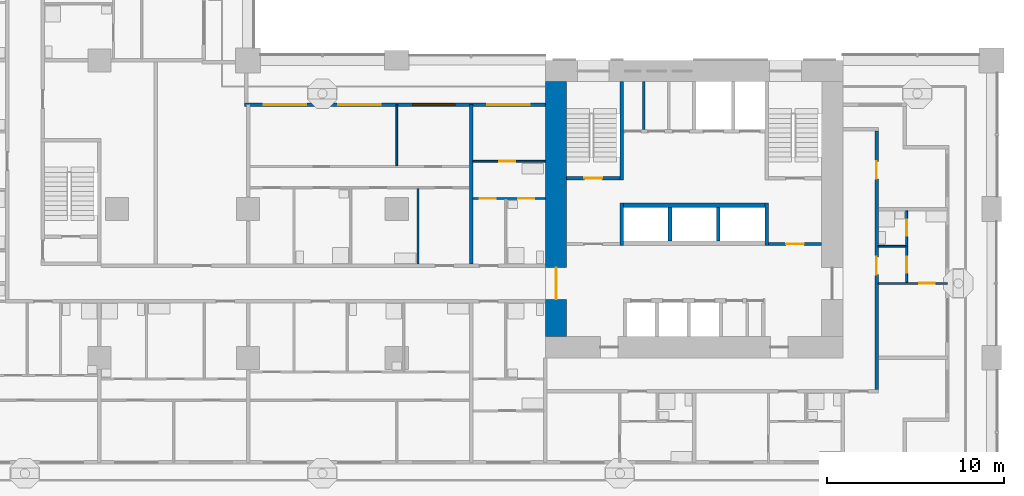
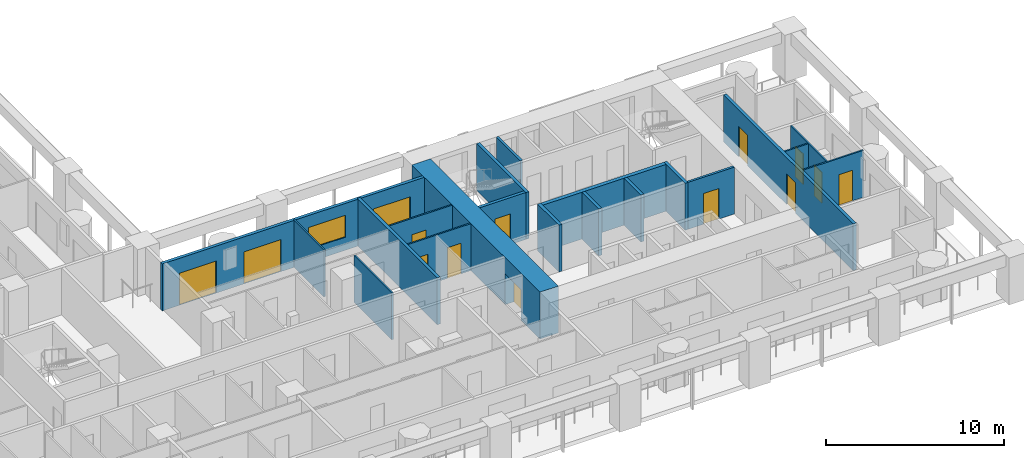
# One storey, part 7 of 22: 20 walls, 14 doors, 1 window, 15 openings.
"""IFC4 building model written with IfcOpenShell, lengths in metres."""

from ifc_helpers import new_model, si_unit, direction, frame, frame_2d, origin, place, context, subcontext, project, spatial, rectangle, extrude, material, layer, layer_set, type_object, element, fill, save


model = new_model("IFC4")

# Units and contexts
model_context = context("Model", 3, precision=1e-05, world=origin(), true_north=direction((0.0, 1.0)))
body_context = subcontext(model_context, "Body", "Model", "MODEL_VIEW")
ifc_project = project(units=[si_unit("LENGTHUNIT", "METRE"), si_unit("AREAUNIT", "SQUARE_METRE"), si_unit("VOLUMEUNIT", "CUBIC_METRE"), si_unit("PLANEANGLEUNIT", "RADIAN"), si_unit("MASSUNIT", "GRAM", prefix="KILO")], contexts=[model_context])

# Site, building, storey
site_placement = place(None, origin())
site = spatial("IfcSite", under=ifc_project, at=site_placement, CompositionType="ELEMENT")
building_placement = place(site_placement, origin())
building = spatial("IfcBuilding", under=site, at=building_placement, Name="Vermilion Gate Residences", CompositionType="ELEMENT")
storey_placement = place(building_placement, frame((0.0, 0.0, 56.699951171875)))
storey = spatial("IfcBuildingStorey", under=building, at=storey_placement, Name="L13", CompositionType="ELEMENT", Elevation=56.699951171875)

# Wall
ifc_material_1 = material(Name="Masonry blockwork", Category="masonry")
ifc_layer_1 = layer(ifc_material_1, 0.14990234375)
ifc_layer_set_1 = layer_set([ifc_layer_1], Name="BLOCKWORK PARTITION 150 EI 120")
wall_type_1 = type_object("IfcWallType", Name="BLOCKWORK PARTITION 150 EI 120", PredefinedType="PARTITIONING", material=ifc_layer_set_1)
wall_1_placement = place(storey_placement, frame((47.554931640625, 21.300048828125, 0.0), z_axis=(0.0, 0.0, 1.0), x_axis=(0.0, 1.0, 0.0)))
element("IfcWall", 1, at=wall_1_placement, inside=storey, type_object=wall_type_1, Name="Core room partition A13-NR-P0", PredefinedType="PARTITIONING", context=body_context, shape_type="SweptSolid", body=[
    extrude(rectangle(XDim=2.699951171875, YDim=0.14990234375, at=frame_2d((1.35009765625, 0.0))), origin(), (0.0, 0.0, 1.0), 3.219970703125),
])

# Wall, opening, door
wall_2_placement = place(storey_placement, frame((54.60009765625, 14.824951171875, 0.0), z_axis=(0.0, 0.0, 1.0), x_axis=(1.0, 0.0, 0.0)))
wall_2 = element("IfcWall", 2, at=wall_2_placement, inside=storey, type_object=wall_type_1, Name="Core room partition A13-VE-S", PredefinedType="PARTITIONING", context=body_context, shape_type="SweptSolid", body=[
    extrude(rectangle(XDim=3.0, YDim=0.14990234375, at=frame_2d((1.5, 0.0))), origin(), (0.0, 0.0, 1.0), 3.219970703125),
])
opening_1_placement = place(wall_2_placement, frame((1.0, 0.0, 0.0)))
opening_1 = element("IfcOpeningElement", 3, at=opening_1_placement, cuts=wall_2, Name="Opening DK13017", PredefinedType="OPENING", context=body_context, shape_type="SweptSolid", body=[
    extrude(rectangle(XDim=1.0, YDim=2.10009765625, at=frame_2d((0.5, 1.050048828125))), frame((0.0, 0.0849609375, 0.0), z_axis=(0.0, -1.0, 0.0), x_axis=(1.0, 0.0, 0.0)), (0.0, 0.0, 1.0), 0.169921875),
])
ifc_material_2 = material(Name="Steel", Category="steel")
door_type_1 = type_object("IfcDoorType", Name="FIRE DOOR FD60 1000 X 2100", OperationType="SINGLE_SWING_LEFT", PredefinedType="DOOR", material=ifc_material_2)
door_1_placement = place(opening_1_placement, frame((1.0, 0.0, 0.0), z_axis=(0.0, 0.0, 1.0), x_axis=(-1.0, 0.0, 0.0)))
door_1 = element("IfcDoor", 4, at=door_1_placement, inside=storey, type_object=door_type_1, Name="Stair vestibule door A13", OperationType="SINGLE_SWING_LEFT", OverallHeight=2.10009765625, OverallWidth=1.0, PredefinedType="DOOR", context=body_context, shape_type="SweptSolid", body=[
    extrude(rectangle(XDim=1.0, YDim=2.10009765625, at=frame_2d((0.5, 1.050048828125))), frame((0.0, 0.02490234375, 0.0), z_axis=(0.0, -1.0, 0.0), x_axis=(1.0, 0.0, 0.0)), (0.0, 0.0, 1.0), 0.050048828125),
])
fill(opening_1, door_1)

# Wall, openings, doors, window
ifc_material_3 = material(Name="Insulated steel stud wall with terracotta rainscreen", Category="masonry")
ifc_layer_2 = layer(ifc_material_3, 0.199951171875)
ifc_layer_set_2 = layer_set([ifc_layer_2], Name="EXTERNAL WALL 200 TERRACOTTA RAINSCREEN")
wall_type_2 = type_object("IfcWallType", Name="EXTERNAL WALL 200 TERRACOTTA RAINSCREEN", PredefinedType="SOLIDWALL", material=ifc_layer_set_2)
wall_3_placement = place(storey_placement, frame((42.0, 22.699951171875, 0.0), z_axis=(0.0, 0.0, 1.0), x_axis=(-1.0, 0.0, 0.0)))
wall_3 = element("IfcWall", 5, at=wall_3_placement, inside=storey, type_object=wall_type_2, Name="External wall", PredefinedType="SOLIDWALL", context=body_context, shape_type="SweptSolid", body=[
    extrude(rectangle(XDim=17.0, YDim=0.199951171875, at=frame_2d((8.5, 0.0))), origin(), (0.0, 0.0, 1.0), 3.219970703125),
])
opening_2_placement = place(wall_3_placement, frame((13.5, 0.0, 0.0)))
opening_2 = element("IfcOpeningElement", 6, at=opening_2_placement, cuts=wall_3, Name="Opening DE13033", PredefinedType="OPENING", context=body_context, shape_type="SweptSolid", body=[
    extrude(rectangle(XDim=2.39990234375, YDim=2.199951171875, at=frame_2d((1.199951171875, 1.10009765625))), frame((0.0, 0.10986328125, 0.0), z_axis=(0.0, -1.0, 0.0), x_axis=(1.0, 0.0, 0.0)), (0.0, 0.0, 1.0), 0.219970703125),
])
opening_3_placement = place(wall_3_placement, frame((9.300048828125, 0.0, 0.0)))
opening_3 = element("IfcOpeningElement", 7, at=opening_3_placement, cuts=wall_3, Name="Opening DE13034", PredefinedType="OPENING", context=body_context, shape_type="SweptSolid", body=[
    extrude(rectangle(XDim=2.39990234375, YDim=2.199951171875, at=frame_2d((1.199951171875, 1.10009765625))), frame((0.0, 0.10986328125, 0.0), z_axis=(0.0, -1.0, 0.0), x_axis=(1.0, 0.0, 0.0)), (0.0, 0.0, 1.0), 0.219970703125),
])
opening_4_placement = place(wall_3_placement, frame((5.10009765625, 0.0, 0.89990234375)))
opening_4 = element("IfcOpeningElement", 8, at=opening_4_placement, cuts=wall_3, Name="Opening WE13035", PredefinedType="OPENING", context=body_context, shape_type="SweptSolid", body=[
    extrude(rectangle(XDim=2.39990234375, YDim=1.5, at=frame_2d((1.199951171875, 0.75))), frame((0.0, 0.10986328125, 0.0), z_axis=(0.0, -1.0, 0.0), x_axis=(1.0, 0.0, 0.0)), (0.0, 0.0, 1.0), 0.219970703125),
])
opening_5_placement = place(wall_3_placement, frame((0.89990234375, 0.0, 0.0)))
opening_5 = element("IfcOpeningElement", 9, at=opening_5_placement, cuts=wall_3, Name="Opening DE13036", PredefinedType="OPENING", context=body_context, shape_type="SweptSolid", body=[
    extrude(rectangle(XDim=2.39990234375, YDim=2.199951171875, at=frame_2d((1.199951171875, 1.10009765625))), frame((0.0, 0.10986328125, 0.0), z_axis=(0.0, -1.0, 0.0), x_axis=(1.0, 0.0, 0.0)), (0.0, 0.0, 1.0), 0.219970703125),
])
ifc_material_4 = material(Name="Aluminium and clear glass", Category="aluminium")
door_type_2 = type_object("IfcDoorType", Name="SLIDING GLAZED DOOR 2400 X 2200", OperationType="DOUBLE_DOOR_SLIDING", PredefinedType="DOOR", material=ifc_material_4)
door_2_placement = place(opening_2_placement, origin())
door_2 = element("IfcDoor", 10, at=door_2_placement, inside=storey, type_object=door_type_2, Name="Loggia sliding door", OperationType="DOUBLE_DOOR_SLIDING", OverallHeight=2.199951171875, OverallWidth=2.39990234375, PredefinedType="DOOR", context=body_context, shape_type="SweptSolid", body=[
    extrude(rectangle(XDim=2.39990234375, YDim=2.199951171875, at=frame_2d((1.199951171875, 1.10009765625))), frame((0.0, 0.02490234375, 0.0), z_axis=(0.0, -1.0, 0.0), x_axis=(1.0, 0.0, 0.0)), (0.0, 0.0, 1.0), 0.050048828125),
])
fill(opening_2, door_2)
door_3_placement = place(opening_3_placement, origin())
door_3 = element("IfcDoor", 11, at=door_3_placement, inside=storey, type_object=door_type_2, Name="Loggia sliding door", OperationType="DOUBLE_DOOR_SLIDING", OverallHeight=2.199951171875, OverallWidth=2.39990234375, PredefinedType="DOOR", context=body_context, shape_type="SweptSolid", body=[
    extrude(rectangle(XDim=2.39990234375, YDim=2.199951171875, at=frame_2d((1.199951171875, 1.10009765625))), frame((0.0, 0.02490234375, 0.0), z_axis=(0.0, -1.0, 0.0), x_axis=(1.0, 0.0, 0.0)), (0.0, 0.0, 1.0), 0.050048828125),
])
fill(opening_3, door_3)
door_4_placement = place(opening_5_placement, origin())
door_4 = element("IfcDoor", 12, at=door_4_placement, inside=storey, type_object=door_type_2, Name="Loggia sliding door", OperationType="DOUBLE_DOOR_SLIDING", OverallHeight=2.199951171875, OverallWidth=2.39990234375, PredefinedType="DOOR", context=body_context, shape_type="SweptSolid", body=[
    extrude(rectangle(XDim=2.39990234375, YDim=2.199951171875, at=frame_2d((1.199951171875, 1.10009765625))), frame((0.0, 0.02490234375, 0.0), z_axis=(0.0, -1.0, 0.0), x_axis=(1.0, 0.0, 0.0)), (0.0, 0.0, 1.0), 0.050048828125),
])
fill(opening_5, door_4)
ifc_material_5 = material(Name="Aluminium and clear glass", Category="aluminium")
window_type = type_object("IfcWindowType", Name="WINDOW 2400 X 1500", PartitioningType="SINGLE_PANEL", PredefinedType="WINDOW", material=ifc_material_5)
window_placement = place(opening_4_placement, origin())
window = element("IfcWindow", 13, at=window_placement, inside=storey, type_object=window_type, Name="Window", OverallHeight=1.5, OverallWidth=2.39990234375, PartitioningType="SINGLE_PANEL", PredefinedType="WINDOW", context=body_context, shape_type="SweptSolid", body=[
    extrude(rectangle(XDim=2.39990234375, YDim=1.5, at=frame_2d((1.199951171875, 0.75))), frame((0.0, 0.030029296875, 0.0), z_axis=(0.0, -1.0, 0.0), x_axis=(1.0, 0.0, 0.0)), (0.0, 0.0, 1.0), 0.06005859375),
])
fill(opening_4, window)

# Wall, opening, door
ifc_material_6 = material(Name="Plasterboard on steel studs", Category="steel")
ifc_layer_3 = layer(ifc_material_6, 0.10009765625)
ifc_layer_set_3 = layer_set([ifc_layer_3], Name="PARTITION 100")
wall_type_3 = type_object("IfcWallType", Name="PARTITION 100", PredefinedType="PARTITIONING", material=ifc_layer_set_3)
wall_4_placement = place(storey_placement, frame((60.800048828125, 12.60009765625, 0.0), z_axis=(0.0, 0.0, 1.0), x_axis=(1.0, 0.0, 0.0)))
wall_4 = element("IfcWall", 14, at=wall_4_placement, inside=storey, type_object=wall_type_3, Name="Partition", PredefinedType="PARTITIONING", context=body_context, shape_type="SweptSolid", body=[
    extrude(rectangle(XDim=3.89990234375, YDim=0.10009765625, at=frame_2d((1.949951171875, 0.0))), origin(), (0.0, 0.0, 1.0), 3.219970703125),
])
opening_6_placement = place(wall_4_placement, frame((2.300048828125, 0.0, 0.0)))
opening_6 = element("IfcOpeningElement", 15, at=opening_6_placement, cuts=wall_4, Name="Opening DA13031", PredefinedType="OPENING", context=body_context, shape_type="SweptSolid", body=[
    extrude(rectangle(XDim=0.89990234375, YDim=2.10009765625, at=frame_2d((0.449951171875, 1.050048828125))), frame((0.0, 0.06005859375, 0.0), z_axis=(0.0, -1.0, 0.0), x_axis=(1.0, 0.0, 0.0)), (0.0, 0.0, 1.0), 0.1201171875),
])
ifc_material_7 = material(Name="Timber", Category="wood")
door_type_3 = type_object("IfcDoorType", Name="INTERIOR DOOR 900 X 2100", OperationType="SINGLE_SWING_LEFT", PredefinedType="DOOR", material=ifc_material_7)
door_5_placement = place(opening_6_placement, origin())
door_5 = element("IfcDoor", 16, at=door_5_placement, inside=storey, type_object=door_type_3, Name="Interior door", OperationType="SINGLE_SWING_RIGHT", OverallHeight=2.10009765625, OverallWidth=0.89990234375, PredefinedType="DOOR", context=body_context, shape_type="SweptSolid", body=[
    extrude(rectangle(XDim=0.89990234375, YDim=2.10009765625, at=frame_2d((0.449951171875, 1.050048828125))), frame((0.0, 0.02490234375, 0.0), z_axis=(0.0, -1.0, 0.0), x_axis=(1.0, 0.0, 0.0)), (0.0, 0.0, 1.0), 0.050048828125),
])
fill(opening_6, door_5)

# Wall
wall_5_placement = place(storey_placement, frame((60.800048828125, 14.699951171875, 0.0), z_axis=(0.0, 0.0, 1.0), x_axis=(1.0, 0.0, 0.0)))
element("IfcWall", 17, at=wall_5_placement, inside=storey, type_object=wall_type_3, Name="Partition", PredefinedType="PARTITIONING", context=body_context, shape_type="SweptSolid", body=[
    extrude(rectangle(XDim=1.550048828125, YDim=0.10009765625, at=frame_2d((0.77490234375, 0.0))), origin(), (0.0, 0.0, 1.0), 3.219970703125),
])

# Wall, openings, doors
wall_6_placement = place(storey_placement, frame((37.89990234375, 17.39990234375, 0.0), z_axis=(0.0, 0.0, 1.0), x_axis=(1.0, 0.0, 0.0)))
wall_6 = element("IfcWall", 18, at=wall_6_placement, inside=storey, type_object=wall_type_3, Name="Partition", PredefinedType="PARTITIONING", context=body_context, shape_type="SweptSolid", body=[
    extrude(rectangle(XDim=4.10009765625, YDim=0.10009765625, at=frame_2d((2.050048828125, 0.0))), origin(), (0.0, 0.0, 1.0), 3.219970703125),
])
opening_7_placement = place(wall_6_placement, frame((0.39990234375, 0.0, 0.0)))
opening_7 = element("IfcOpeningElement", 19, at=opening_7_placement, cuts=wall_6, Name="Opening DA13035", PredefinedType="OPENING", context=body_context, shape_type="SweptSolid", body=[
    extrude(rectangle(XDim=0.89990234375, YDim=2.10009765625, at=frame_2d((0.449951171875, 1.050048828125))), frame((0.0, 0.06005859375, 0.0), z_axis=(0.0, -1.0, 0.0), x_axis=(1.0, 0.0, 0.0)), (0.0, 0.0, 1.0), 0.1201171875),
])
opening_8_placement = place(wall_6_placement, frame((2.56005859375, 0.0, 0.0)))
opening_8 = element("IfcOpeningElement", 20, at=opening_8_placement, cuts=wall_6, Name="Opening DA13036", PredefinedType="OPENING", context=body_context, shape_type="SweptSolid", body=[
    extrude(rectangle(XDim=0.89990234375, YDim=2.10009765625, at=frame_2d((0.449951171875, 1.050048828125))), frame((0.0, 0.06005859375, 0.0), z_axis=(0.0, -1.0, 0.0), x_axis=(1.0, 0.0, 0.0)), (0.0, 0.0, 1.0), 0.1201171875),
])
door_6_placement = place(opening_7_placement, origin())
door_6 = element("IfcDoor", 21, at=door_6_placement, inside=storey, type_object=door_type_3, Name="Interior door", OperationType="SINGLE_SWING_LEFT", OverallHeight=2.10009765625, OverallWidth=0.89990234375, PredefinedType="DOOR", context=body_context, shape_type="SweptSolid", body=[
    extrude(rectangle(XDim=0.89990234375, YDim=2.10009765625, at=frame_2d((0.449951171875, 1.050048828125))), frame((0.0, 0.02490234375, 0.0), z_axis=(0.0, -1.0, 0.0), x_axis=(1.0, 0.0, 0.0)), (0.0, 0.0, 1.0), 0.050048828125),
])
fill(opening_7, door_6)
door_7_placement = place(opening_8_placement, frame((0.89990234375, 0.0, 0.0), z_axis=(0.0, 0.0, 1.0), x_axis=(-1.0, 0.0, 0.0)))
door_7 = element("IfcDoor", 22, at=door_7_placement, inside=storey, type_object=door_type_3, Name="Interior door", OperationType="SINGLE_SWING_RIGHT", OverallHeight=2.10009765625, OverallWidth=0.89990234375, PredefinedType="DOOR", context=body_context, shape_type="SweptSolid", body=[
    extrude(rectangle(XDim=0.89990234375, YDim=2.10009765625, at=frame_2d((0.449951171875, 1.050048828125))), frame((0.0, 0.02490234375, 0.0), z_axis=(0.0, -1.0, 0.0), x_axis=(1.0, 0.0, 0.0)), (0.0, 0.0, 1.0), 0.050048828125),
])
fill(opening_8, door_7)

# Wall, opening, door
wall_7_placement = place(storey_placement, frame((37.89990234375, 19.5, 0.0), z_axis=(0.0, 0.0, 1.0), x_axis=(1.0, 0.0, 0.0)))
wall_7 = element("IfcWall", 23, at=wall_7_placement, inside=storey, type_object=wall_type_3, Name="Partition", PredefinedType="PARTITIONING", context=body_context, shape_type="SweptSolid", body=[
    extrude(rectangle(XDim=4.10009765625, YDim=0.10009765625, at=frame_2d((2.050048828125, 0.0))), origin(), (0.0, 0.0, 1.0), 3.219970703125),
])
opening_9_placement = place(wall_7_placement, frame((1.5, 0.0, 0.0)))
opening_9 = element("IfcOpeningElement", 24, at=opening_9_placement, cuts=wall_7, Name="Opening DA13043", PredefinedType="OPENING", context=body_context, shape_type="SweptSolid", body=[
    extrude(rectangle(XDim=0.89990234375, YDim=2.10009765625, at=frame_2d((0.449951171875, 1.050048828125))), frame((0.0, 0.06005859375, 0.0), z_axis=(0.0, -1.0, 0.0), x_axis=(1.0, 0.0, 0.0)), (0.0, 0.0, 1.0), 0.1201171875),
])
door_8_placement = place(opening_9_placement, frame((0.89990234375, 0.0, 0.0), z_axis=(0.0, 0.0, 1.0), x_axis=(-1.0, 0.0, 0.0)))
door_8 = element("IfcDoor", 25, at=door_8_placement, inside=storey, type_object=door_type_3, Name="Interior door", OperationType="SINGLE_SWING_LEFT", OverallHeight=2.10009765625, OverallWidth=0.89990234375, PredefinedType="DOOR", context=body_context, shape_type="SweptSolid", body=[
    extrude(rectangle(XDim=0.89990234375, YDim=2.10009765625, at=frame_2d((0.449951171875, 1.050048828125))), frame((0.0, 0.02490234375, 0.0), z_axis=(0.0, -1.0, 0.0), x_axis=(1.0, 0.0, 0.0)), (0.0, 0.0, 1.0), 0.050048828125),
])
fill(opening_9, door_8)

# Walls
wall_8_placement = place(storey_placement, frame((33.60009765625, 19.25, 0.0), z_axis=(0.0, 0.0, 1.0), x_axis=(0.0, 1.0, 0.0)))
element("IfcWall", 26, at=wall_8_placement, inside=storey, type_object=wall_type_3, Name="Partition", PredefinedType="PARTITIONING", context=body_context, shape_type="SweptSolid", body=[
    extrude(rectangle(XDim=3.449951171875, YDim=0.10009765625, at=frame_2d((1.72509765625, 0.0))), origin(), (0.0, 0.0, 1.0), 3.219970703125),
])
wall_9_placement = place(storey_placement, frame((34.800048828125, 13.699951171875, 0.0), z_axis=(0.0, 0.0, 1.0), x_axis=(0.0, 1.0, 0.0)))
element("IfcWall", 27, at=wall_9_placement, inside=storey, type_object=wall_type_3, Name="Partition", PredefinedType="PARTITIONING", context=body_context, shape_type="SweptSolid", body=[
    extrude(rectangle(XDim=4.25, YDim=0.10009765625, at=frame_2d((2.125, 0.0))), origin(), (0.0, 0.0, 1.0), 3.219970703125),
])

# Wall, openings, doors
wall_10_placement = place(storey_placement, frame((62.39990234375, 12.64990234375, 0.0), z_axis=(0.0, 0.0, 1.0), x_axis=(0.0, 1.0, 0.0)))
wall_10 = element("IfcWall", 28, at=wall_10_placement, inside=storey, type_object=wall_type_3, Name="Partition", PredefinedType="PARTITIONING", context=body_context, shape_type="SweptSolid", body=[
    extrude(rectangle(XDim=4.050048828125, YDim=0.10009765625, at=frame_2d((2.02490234375, 0.0))), origin(), (0.0, 0.0, 1.0), 3.219970703125),
])
opening_10_placement = place(wall_10_placement, frame((0.550048828125, 0.0, 0.0)))
opening_10 = element("IfcOpeningElement", 29, at=opening_10_placement, cuts=wall_10, Name="Opening DA13085", PredefinedType="OPENING", context=body_context, shape_type="SweptSolid", body=[
    extrude(rectangle(XDim=0.89990234375, YDim=2.10009765625, at=frame_2d((0.449951171875, 1.050048828125))), frame((0.0, 0.06005859375, 0.0), z_axis=(0.0, -1.0, 0.0), x_axis=(1.0, 0.0, 0.0)), (0.0, 0.0, 1.0), 0.1201171875),
])
opening_11_placement = place(wall_10_placement, frame((2.64990234375, 0.0, 0.0)))
opening_11 = element("IfcOpeningElement", 30, at=opening_11_placement, cuts=wall_10, Name="Opening DA13086", PredefinedType="OPENING", context=body_context, shape_type="SweptSolid", body=[
    extrude(rectangle(XDim=0.89990234375, YDim=2.10009765625, at=frame_2d((0.449951171875, 1.050048828125))), frame((0.0, 0.06005859375, 0.0), z_axis=(0.0, -1.0, 0.0), x_axis=(1.0, 0.0, 0.0)), (0.0, 0.0, 1.0), 0.1201171875),
])
door_9_placement = place(opening_10_placement, frame((0.89990234375, 0.0, 0.0), z_axis=(0.0, 0.0, 1.0), x_axis=(-1.0, 0.0, 0.0)))
door_9 = element("IfcDoor", 31, at=door_9_placement, inside=storey, type_object=door_type_3, Name="Interior door", OperationType="SINGLE_SWING_RIGHT", OverallHeight=2.10009765625, OverallWidth=0.89990234375, PredefinedType="DOOR", context=body_context, shape_type="SweptSolid", body=[
    extrude(rectangle(XDim=0.89990234375, YDim=2.10009765625, at=frame_2d((0.449951171875, 1.050048828125))), frame((0.0, 0.02490234375, 0.0), z_axis=(0.0, -1.0, 0.0), x_axis=(1.0, 0.0, 0.0)), (0.0, 0.0, 1.0), 0.050048828125),
])
fill(opening_10, door_9)
door_10_placement = place(opening_11_placement, origin())
door_10 = element("IfcDoor", 32, at=door_10_placement, inside=storey, type_object=door_type_3, Name="Interior door", OperationType="SINGLE_SWING_RIGHT", OverallHeight=2.10009765625, OverallWidth=0.89990234375, PredefinedType="DOOR", context=body_context, shape_type="SweptSolid", body=[
    extrude(rectangle(XDim=0.89990234375, YDim=2.10009765625, at=frame_2d((0.449951171875, 1.050048828125))), frame((0.0, 0.02490234375, 0.0), z_axis=(0.0, -1.0, 0.0), x_axis=(1.0, 0.0, 0.0)), (0.0, 0.0, 1.0), 0.050048828125),
])
fill(opening_11, door_10)

# Wall
ifc_material_8 = material(Name="Fire-rated plasterboard on steel studs", Category="steel")
ifc_layer_4 = layer(ifc_material_8, 0.199951171875)
ifc_layer_set_4 = layer_set([ifc_layer_4], Name="PARTY WALL 200 EI 120")
wall_type_4 = type_object("IfcWallType", Name="PARTY WALL 200 EI 120", PredefinedType="PARTITIONING", material=ifc_layer_set_4)
wall_11_placement = place(storey_placement, frame((37.800048828125, 13.699951171875, 0.0), z_axis=(0.0, 0.0, 1.0), x_axis=(0.0, 1.0, 0.0)))
element("IfcWall", 33, at=wall_11_placement, inside=storey, type_object=wall_type_4, Name="Party and corridor wall", PredefinedType="PARTITIONING", context=body_context, shape_type="SweptSolid", body=[
    extrude(rectangle(XDim=9.0, YDim=0.199951171875, at=frame_2d((4.5, 0.0))), origin(), (0.0, 0.0, 1.0), 3.219970703125),
])

# Wall, openings, doors
wall_12_placement = place(storey_placement, frame((60.699951171875, 6.60009765625, 0.0), z_axis=(0.0, 0.0, 1.0), x_axis=(0.0, 1.0, 0.0)))
wall_12 = element("IfcWall", 34, at=wall_12_placement, inside=storey, type_object=wall_type_4, Name="Party and corridor wall", PredefinedType="PARTITIONING", context=body_context, shape_type="SweptSolid", body=[
    extrude(rectangle(XDim=14.599853515625, YDim=0.199951171875, at=frame_2d((7.2998046875, 0.0))), origin(), (0.0, 0.0, 1.0), 3.219970703125),
])
opening_12_placement = place(wall_12_placement, frame((6.5, 0.0, 0.0)))
opening_12 = element("IfcOpeningElement", 35, at=opening_12_placement, cuts=wall_12, Name="Opening DA13083", PredefinedType="OPENING", context=body_context, shape_type="SweptSolid", body=[
    extrude(rectangle(XDim=1.0, YDim=2.10009765625, at=frame_2d((0.5, 1.050048828125))), frame((0.0, 0.10986328125, 0.0), z_axis=(0.0, -1.0, 0.0), x_axis=(1.0, 0.0, 0.0)), (0.0, 0.0, 1.0), 0.219970703125),
])
opening_13_placement = place(wall_12_placement, frame((11.89990234375, 0.0, 0.0)))
opening_13 = element("IfcOpeningElement", 36, at=opening_13_placement, cuts=wall_12, Name="Opening DA13084", PredefinedType="OPENING", context=body_context, shape_type="SweptSolid", body=[
    extrude(rectangle(XDim=1.0, YDim=2.10009765625, at=frame_2d((0.5, 1.050048828125))), frame((0.0, 0.10986328125, 0.0), z_axis=(0.0, -1.0, 0.0), x_axis=(1.0, 0.0, 0.0)), (0.0, 0.0, 1.0), 0.219970703125),
])
ifc_material_9 = material(Name="Steel", Category="steel")
door_type_4 = type_object("IfcDoorType", Name="ENTRANCE DOOR 1000 X 2100 FD30", OperationType="SINGLE_SWING_LEFT", PredefinedType="DOOR", material=ifc_material_9)
door_11_placement = place(opening_12_placement, frame((1.0, 0.0, 0.0), z_axis=(0.0, 0.0, 1.0), x_axis=(-1.0, 0.0, 0.0)))
door_11 = element("IfcDoor", 37, at=door_11_placement, inside=storey, type_object=door_type_4, Name="Entrance door", OperationType="SINGLE_SWING_RIGHT", OverallHeight=2.10009765625, OverallWidth=1.0, PredefinedType="DOOR", context=body_context, shape_type="SweptSolid", body=[
    extrude(rectangle(XDim=1.0, YDim=2.10009765625, at=frame_2d((0.5, 1.050048828125))), frame((0.0, 0.02490234375, 0.0), z_axis=(0.0, -1.0, 0.0), x_axis=(1.0, 0.0, 0.0)), (0.0, 0.0, 1.0), 0.050048828125),
])
fill(opening_12, door_11)
door_12_placement = place(opening_13_placement, frame((1.0, 0.0, 0.0), z_axis=(0.0, 0.0, 1.0), x_axis=(-1.0, 0.0, 0.0)))
door_12 = element("IfcDoor", 38, at=door_12_placement, inside=storey, type_object=door_type_4, Name="Entrance door", OperationType="SINGLE_SWING_RIGHT", OverallHeight=2.10009765625, OverallWidth=1.0, PredefinedType="DOOR", context=body_context, shape_type="SweptSolid", body=[
    extrude(rectangle(XDim=1.0, YDim=2.10009765625, at=frame_2d((0.5, 1.050048828125))), frame((0.0, 0.02490234375, 0.0), z_axis=(0.0, -1.0, 0.0), x_axis=(1.0, 0.0, 0.0)), (0.0, 0.0, 1.0), 0.050048828125),
])
fill(opening_13, door_12)

# Walls
ifc_material_10 = material(Name="Concrete C60", Category="concrete")
ifc_layer_5 = layer(ifc_material_10, 0.199951171875)
ifc_layer_set_5 = layer_set([ifc_layer_5], Name="RC CORE INTERNAL WALL 200 C60")
wall_type_5 = type_object("IfcWallType", Name="RC CORE INTERNAL WALL 200 C60", PredefinedType="SHEAR", material=ifc_layer_set_5)
for number, where, z_axis, x_axis, name in (
    (39, (49.033447265625, 15.0, 0.0), (0.0, 0.0, 1.0), (0.0, 1.0, 0.0), "Core internal wall A13-HR-D1"),
    (40, (51.7666015625, 15.0, 0.0), (0.0, 0.0, 1.0), (0.0, 1.0, 0.0), "Core internal wall A13-HR-D2"),
):
    element("IfcWall", number, at=place(storey_placement, frame(where, z_axis=z_axis, x_axis=x_axis)), inside=storey, type_object=wall_type_5, Name=name, PredefinedType="SHEAR", context=body_context, shape_type="SweptSolid", body=[
        extrude(rectangle(XDim=1.89990234375, YDim=0.199951171875, at=frame_2d((0.949951171875, 0.0))), origin(), (0.0, 0.0, 1.0), 3.219970703125),
    ])
wall_13_placement = place(storey_placement, frame((46.300048828125, 14.75, 0.0), z_axis=(0.0, 0.0, 1.0), x_axis=(0.0, 1.0, 0.0)))
element("IfcWall", 41, at=wall_13_placement, inside=storey, type_object=wall_type_5, Name="Core internal wall A13-WDIV1", PredefinedType="SHEAR", context=body_context, shape_type="SweptSolid", body=[
    extrude(rectangle(XDim=2.39990234375, YDim=0.199951171875, at=frame_2d((1.199951171875, 0.0))), origin(), (0.0, 0.0, 1.0), 3.219970703125),
])
wall_14_placement = place(storey_placement, frame((46.300048828125, 18.449951171875, 0.0), z_axis=(0.0, 0.0, 1.0), x_axis=(0.0, 1.0, 0.0)))
element("IfcWall", 42, at=wall_14_placement, inside=storey, type_object=wall_type_5, Name="Core internal wall A13-WDIV2", PredefinedType="SHEAR", context=body_context, shape_type="SweptSolid", body=[
    extrude(rectangle(XDim=5.550048828125, YDim=0.199951171875, at=frame_2d((2.77490234375, 0.0))), origin(), (0.0, 0.0, 1.0), 3.219970703125),
])

# Wall, opening, door
wall_15_placement = place(storey_placement, frame((43.199951171875, 18.550048828125, 0.0), z_axis=(0.0, 0.0, 1.0), x_axis=(1.0, 0.0, 0.0)))
wall_15 = element("IfcWall", 43, at=wall_15_placement, inside=storey, type_object=wall_type_5, Name="Core internal wall A13-STW-S", PredefinedType="SHEAR", context=body_context, shape_type="SweptSolid", body=[
    extrude(rectangle(XDim=3.0, YDim=0.199951171875, at=frame_2d((1.5, 0.0))), origin(), (0.0, 0.0, 1.0), 3.219970703125),
])
opening_14_placement = place(wall_15_placement, frame((1.0, 0.0, 0.0)))
opening_14 = element("IfcOpeningElement", 44, at=opening_14_placement, cuts=wall_15, Name="Opening DK13016", PredefinedType="OPENING", context=body_context, shape_type="SweptSolid", body=[
    extrude(rectangle(XDim=1.0, YDim=2.10009765625, at=frame_2d((0.5, 1.050048828125))), frame((0.0, 0.10986328125, 0.0), z_axis=(0.0, -1.0, 0.0), x_axis=(1.0, 0.0, 0.0)), (0.0, 0.0, 1.0), 0.219970703125),
])
door_13_placement = place(opening_14_placement, origin())
door_13 = element("IfcDoor", 45, at=door_13_placement, inside=storey, type_object=door_type_1, Name="Stair door A13", OperationType="SINGLE_SWING_LEFT", OverallHeight=2.10009765625, OverallWidth=1.0, PredefinedType="DOOR", context=body_context, shape_type="SweptSolid", body=[
    extrude(rectangle(XDim=1.0, YDim=2.10009765625, at=frame_2d((0.5, 1.050048828125))), frame((0.0, 0.02490234375, 0.0), z_axis=(0.0, -1.0, 0.0), x_axis=(1.0, 0.0, 0.0)), (0.0, 0.0, 1.0), 0.050048828125),
])
fill(opening_14, door_13)

# Wall
wall_16_placement = place(storey_placement, frame((54.5, 14.75, 0.0), z_axis=(0.0, 0.0, 1.0), x_axis=(0.0, 1.0, 0.0)))
element("IfcWall", 46, at=wall_16_placement, inside=storey, type_object=wall_type_5, Name="Core internal wall A13-EDIV1", PredefinedType="SHEAR", context=body_context, shape_type="SweptSolid", body=[
    extrude(rectangle(XDim=2.39990234375, YDim=0.199951171875, at=frame_2d((1.199951171875, 0.0))), origin(), (0.0, 0.0, 1.0), 3.219970703125),
])

# Wall, opening, door
ifc_material_11 = material(Name="Concrete C80", Category="concrete")
ifc_layer_6 = layer(ifc_material_11, 1.199951171875)
ifc_layer_set_6 = layer_set([ifc_layer_6], Name="RC CORE WALL 1200 C80")
wall_type_6 = type_object("IfcWallType", Name="RC CORE WALL 1200 C80", PredefinedType="SHEAR", material=ifc_layer_set_6)
wall_17_placement = place(storey_placement, frame((42.60009765625, 9.60009765625, 0.0), z_axis=(0.0, 0.0, 1.0), x_axis=(0.0, 1.0, 0.0)))
wall_17 = element("IfcWall", 47, at=wall_17_placement, inside=storey, type_object=wall_type_6, Name="Core wall A13-OUT-FR", PredefinedType="SHEAR", context=body_context, shape_type="SweptSolid", body=[
    extrude(rectangle(XDim=14.39990234375, YDim=1.199951171875, at=frame_2d((7.199951171875, 0.0))), origin(), (0.0, 0.0, 1.0), 3.219970703125),
])
opening_15_placement = place(wall_17_placement, frame((2.10009765625, 0.0, 0.0)))
opening_15 = element("IfcOpeningElement", 48, at=opening_15_placement, cuts=wall_17, Name="Opening DK13003", PredefinedType="OPENING", context=body_context, shape_type="SweptSolid", body=[
    extrude(rectangle(XDim=1.800048828125, YDim=2.10009765625, at=frame_2d((0.89990234375, 1.050048828125))), frame((0.0, 0.60986328125, 0.0), z_axis=(0.0, -1.0, 0.0), x_axis=(1.0, 0.0, 0.0)), (0.0, 0.0, 1.0), 1.219970703125),
])
ifc_material_12 = material(Name="Steel", Category="steel")
door_type_5 = type_object("IfcDoorType", Name="CORE LOBBY DOOR FD60 1800 X 2100", OperationType="DOUBLE_DOOR_SINGLE_SWING", PredefinedType="DOOR", material=ifc_material_12)
door_14_placement = place(opening_15_placement, frame((1.800048828125, 0.0, 0.0), z_axis=(0.0, 0.0, 1.0), x_axis=(-1.0, 0.0, 0.0)))
door_14 = element("IfcDoor", 49, at=door_14_placement, inside=storey, type_object=door_type_5, Name="Core lobby door A13", OperationType="DOUBLE_DOOR_SINGLE_SWING", OverallHeight=2.10009765625, OverallWidth=1.800048828125, PredefinedType="DOOR", context=body_context, shape_type="SweptSolid", body=[
    extrude(rectangle(XDim=1.800048828125, YDim=2.10009765625, at=frame_2d((0.89990234375, 1.050048828125))), frame((0.0, 0.02490234375, 0.0), z_axis=(0.0, -1.0, 0.0), x_axis=(1.0, 0.0, 0.0)), (0.0, 0.0, 1.0), 0.050048828125),
])
fill(opening_15, door_14)

# Wall
ifc_material_13 = material(Name="Concrete C60", Category="concrete")
ifc_layer_7 = layer(ifc_material_13, 0.25)
ifc_layer_set_7 = layer_set([ifc_layer_7], Name="RC LIFT SHAFT WALL 250 C60")
wall_type_7 = type_object("IfcWallType", Name="RC LIFT SHAFT WALL 250 C60", PredefinedType="SHEAR", material=ifc_layer_set_7)
wall_18_placement = place(storey_placement, frame((46.39990234375, 17.02490234375, 0.0), z_axis=(0.0, 0.0, 1.0), x_axis=(1.0, 0.0, 0.0)))
element("IfcWall", 50, at=wall_18_placement, inside=storey, type_object=wall_type_7, Name="Lift shaft wall A13-HR-B", PredefinedType="SHEAR", context=body_context, shape_type="SweptSolid", body=[
    extrude(rectangle(XDim=8.0, YDim=0.25, at=frame_2d((4.0, 0.0))), origin(), (0.0, 0.0, 1.0), 3.219970703125),
])

save(model, "model.ifc")
